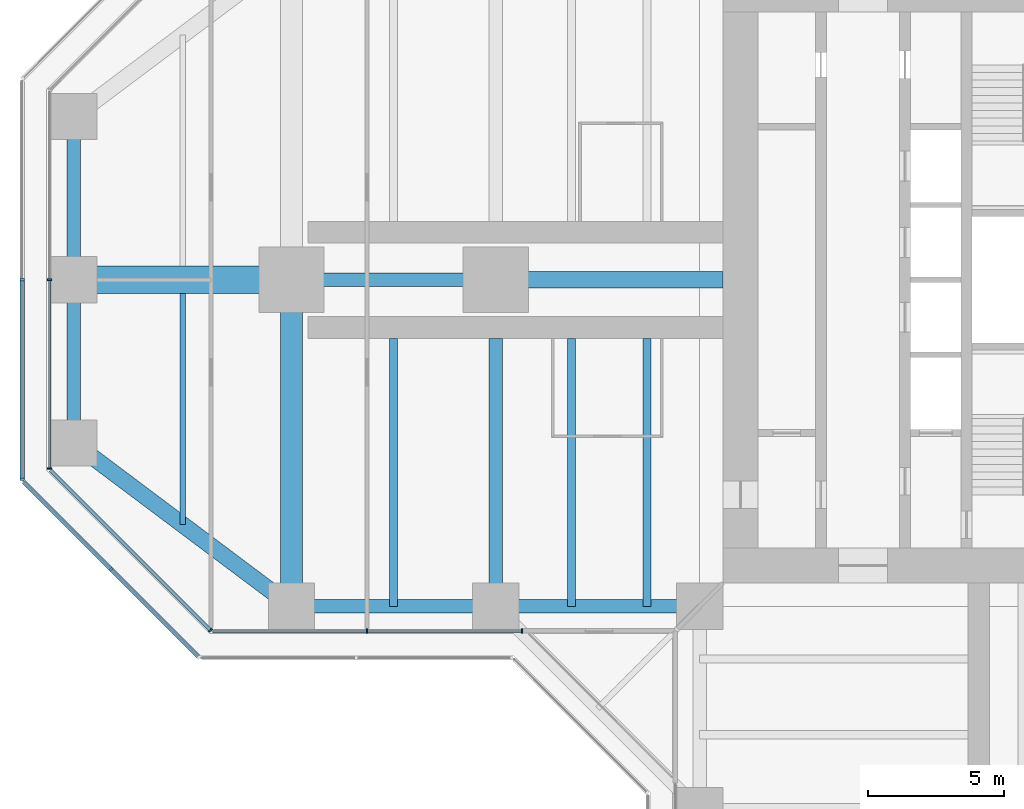
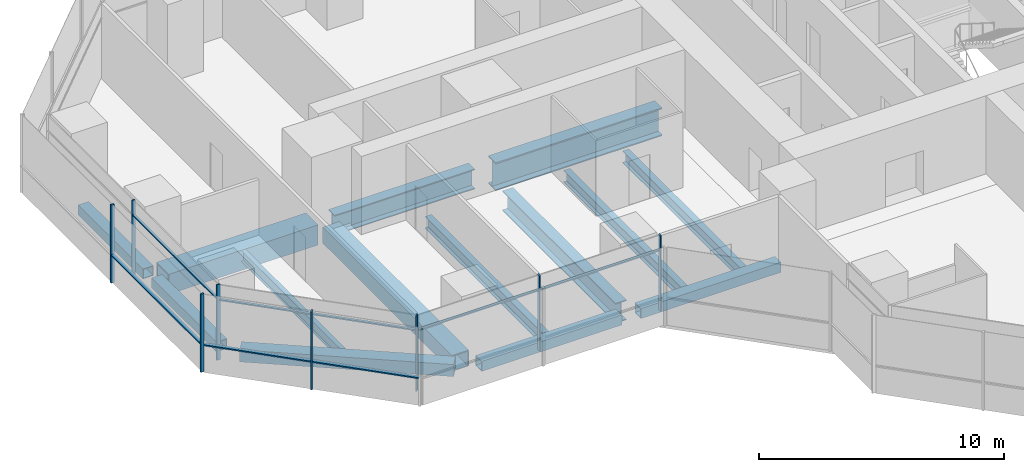
# One storey, part 3 of 20: 15 members, 14 beams, 5 elements without a shape of their own.
"""IFC4 building model written with IfcOpenShell, lengths in metres."""

import ifcopenshell
import ifcopenshell.guid

model = None  # the IFC model being written
_history = None  # IfcOwnerHistory: only IFC2X3 demands one
_inside = {}  # id of a spatial element -> (the spatial element, [elements in it])
_under = {}  # id of a project, library or spatial element -> (it, [spatial elements below it])
_declared = {}  # id of a project -> (the project, [libraries it declares])
_typed = {}  # id of a type object -> (the type object, [elements of that type])
_made_of = {}  # id of a material, layer set ... -> (it, [elements and type objects made of it])


def new_model(schema):
    """Start an empty IFC model of exactly this schema.

    Asked for "IFC4X3", IfcOpenShell would pick the latest addendum, in which some entities
    have other attributes; the version numbers below select the first issue.
    IFC2X3 requires an IfcOwnerHistory on every rooted entity: one is made here for all.
    """
    global model, _history
    if schema == "IFC4X3":
        model = ifcopenshell.file(schema_version=(4, 3, 0, 0))
    else:
        model = ifcopenshell.file(schema=schema)
    _inside.clear()
    _under.clear()
    _declared.clear()
    _typed.clear()
    _made_of.clear()
    _history = None
    if model.schema == "IFC2X3":
        org = make("IfcOrganization", Name="unknown")
        user = make(
            "IfcPersonAndOrganization",
            ThePerson=make("IfcPerson", FamilyName="unknown"),
            TheOrganization=org,
        )
        app = make(
            "IfcApplication",
            ApplicationDeveloper=org,
            Version="unknown",
            ApplicationFullName="unknown",
            ApplicationIdentifier="unknown",
        )
        _history = make(
            "IfcOwnerHistory",
            OwningUser=user,
            OwningApplication=app,
            ChangeAction="ADDED",
            CreationDate=0,
        )
    return model


def make(cls, **values):
    """One entity of the class cls with the attributes given. An attribute that is None is left unset."""
    return model.create_entity(
        cls, **{name: value for name, value in values.items() if value is not None}
    )


def rooted(cls, **values):
    """An entity with a GlobalId (a new one), such as an element, a storey or a relation."""
    return make(cls, GlobalId=ifcopenshell.guid.new(), OwnerHistory=_history, **values)


def si_unit(unit_type, name, prefix=None):
    """IfcSIUnit, for example si_unit("LENGTHUNIT", "METRE", prefix="MILLI")."""
    return make("IfcSIUnit", UnitType=unit_type, Prefix=prefix, Name=name)


def assignment(units):
    """IfcUnitAssignment: the units of a project."""
    return None if units is None else make("IfcUnitAssignment", Units=units)


def point(xyz):
    """IfcCartesianPoint."""
    return None if xyz is None else make("IfcCartesianPoint", Coordinates=xyz)


def direction(xyz):
    """IfcDirection."""
    return None if xyz is None else make("IfcDirection", DirectionRatios=xyz)


def frame(location, z_axis=None, x_axis=None):
    """IfcAxis2Placement3D, a coordinate frame: its origin and axes. An axis left out is left unset."""
    return make(
        "IfcAxis2Placement3D",
        Location=point(location),
        Axis=direction(z_axis),
        RefDirection=direction(x_axis),
    )


def frame_2d(location, x_axis=None):
    """IfcAxis2Placement2D, a coordinate frame in the plane: its origin and x axis."""
    return make(
        "IfcAxis2Placement2D", Location=point(location), RefDirection=direction(x_axis)
    )


def origin():
    """The frame at (0, 0, 0) with its axes left unset."""
    return frame((0.0, 0.0, 0.0))


def origin_2d():
    """The frame at (0, 0) in the plane with its x axis left unset."""
    return frame_2d((0.0, 0.0))


def place(relative_to, where):
    """IfcLocalPlacement: puts the frame where relative to a parent placement (None: the world)."""
    return make(
        "IfcLocalPlacement", PlacementRelTo=relative_to, RelativePlacement=where
    )


def context(
    kind, dimensions, precision=None, world=None, true_north=None, identifier=None
):
    """IfcGeometricRepresentationContext, for example the 3D "Model" context."""
    return make(
        "IfcGeometricRepresentationContext",
        ContextIdentifier=identifier,
        ContextType=kind,
        CoordinateSpaceDimension=dimensions,
        Precision=precision,
        WorldCoordinateSystem=world,
        TrueNorth=true_north,
    )


def subcontext(parent, identifier, kind, view, scale=None):
    """IfcGeometricRepresentationSubContext, for example "Body" below "Model"."""
    return make(
        "IfcGeometricRepresentationSubContext",
        ContextIdentifier=identifier,
        ContextType=kind,
        ParentContext=parent,
        TargetScale=scale,
        TargetView=view,
    )


def project(units=None, contexts=None):
    """IfcProject with its units and contexts."""
    return rooted(
        "IfcProject",
        Name="project",
        RepresentationContexts=contexts,
        UnitsInContext=assignment(units),
    )


def spatial(cls, under=None, at=None, **own):
    """A site, building, storey or space (cls), placed at a placement, below another one or the project."""
    s = rooted(cls, ObjectPlacement=at, **own)
    if under is not None:
        _under.setdefault(under.id(), (under, []))[1].append(s)
    return s


def profile(cls, at=None, kind="AREA", **sizes):
    """A parametric profile (cls). Its sizes go by their IFC names, for example OverallWidth=200.0."""
    return make(cls, ProfileType=kind, Position=at, **sizes)


def rectangle(**sizes):
    """IfcRectangleProfileDef."""
    return profile("IfcRectangleProfileDef", **sizes)


def hollow_rectangle(**sizes):
    """IfcRectangleHollowProfileDef."""
    return profile("IfcRectangleHollowProfileDef", **sizes)


def i_section(**sizes):
    """IfcIShapeProfileDef."""
    return profile("IfcIShapeProfileDef", **sizes)


def extrude(swept, where, along, depth):
    """IfcExtrudedAreaSolid: the profile swept, set in the frame where, extruded along a direction by depth."""
    return make(
        "IfcExtrudedAreaSolid",
        SweptArea=swept,
        Position=where,
        ExtrudedDirection=direction(along),
        Depth=depth,
    )


def shape(context_of_items, identifier, shape_type, items):
    """IfcShapeRepresentation: the items that make up one representation, for example the "Body"."""
    return make(
        "IfcShapeRepresentation",
        ContextOfItems=context_of_items,
        RepresentationIdentifier=identifier,
        RepresentationType=shape_type,
        Items=items,
    )


def material(Name=None, Category=None):
    """IfcMaterial."""
    return make("IfcMaterial", Name=Name, Category=Category)


def material_profile(
    of_material, cross_section, Name=None, Category=None, Priority=None
):
    """IfcMaterialProfile: a cross section and its material."""
    return make(
        "IfcMaterialProfile",
        Name=Name,
        Material=of_material,
        Profile=cross_section,
        Priority=Priority,
        Category=Category,
    )


def profile_set(profiles, Name=None, composite=None):
    """IfcMaterialProfileSet."""
    return make(
        "IfcMaterialProfileSet",
        Name=Name,
        MaterialProfiles=profiles,
        CompositeProfile=composite,
    )


def made_of(thing, what):
    """Note that an element or type object is made of a material, layer set ...; save() writes the relation."""
    if what is not None:
        _made_of.setdefault(what.id(), (what, []))[1].append(thing)
    return thing


def type_object(cls, material=None, **own):
    """A type object (cls), such as IfcWallType, which elements share."""
    return made_of(rooted(cls, **own), material)


def element(
    cls,
    number,
    at=None,
    inside=None,
    cuts=None,
    type_object=None,
    material=None,
    context=None,
    identifier="Body",
    shape_type=None,
    held_by="IfcProductDefinitionShape",
    body=None,
    shapes=None,
    **own,
):
    """One element of the class cls, such as IfcWall. Its Tag is "e" and its number.

    at: its placement. inside: the storey or other place that contains it. cuts: it is an
    opening in that element (IfcRelVoidsElement). A single representation is given by context,
    identifier, shape_type and body (its items); several are given by shapes. held_by: the class
    of the entity that holds the representations. save() writes the other relations.
    """
    e = rooted(cls, Tag="e%d" % number, ObjectPlacement=at, **own)
    if body is not None:
        shapes = [shape(context, identifier, shape_type, body)]
    if shapes is not None:
        e.Representation = make(held_by, Representations=shapes)
    if inside is not None:
        _inside.setdefault(inside.id(), (inside, []))[1].append(e)
    if cuts is not None:
        rooted(
            "IfcRelVoidsElement", RelatingBuildingElement=cuts, RelatedOpeningElement=e
        )
    if type_object is not None:
        _typed.setdefault(type_object.id(), (type_object, []))[1].append(e)
    return made_of(e, material)


def aggregate(whole, parts):
    """IfcRelAggregates: a whole, such as a stair, and the parts it consists of."""
    return rooted("IfcRelAggregates", RelatingObject=whole, RelatedObjects=parts)


def save(model, path):
    """Write the relations noted so far, then the file.

    IfcRelAggregates (storeys below a building ...), IfcRelContainedInSpatialStructure (elements
    in a storey), IfcRelDefinesByType, IfcRelAssociatesMaterial and IfcRelDeclares: one each for
    every whole, place, type object, material and project.
    """
    for whole, parts in _under.values():
        aggregate(whole, parts)
    for where, things in _inside.values():
        rooted(
            "IfcRelContainedInSpatialStructure",
            RelatedElements=things,
            RelatingStructure=where,
        )
    for kind, things in _typed.values():
        rooted("IfcRelDefinesByType", RelatedObjects=things, RelatingType=kind)
    for what, things in _made_of.values():
        rooted("IfcRelAssociatesMaterial", RelatedObjects=things, RelatingMaterial=what)
    for by, libraries in _declared.values():
        rooted("IfcRelDeclares", RelatingContext=by, RelatedDefinitions=libraries)
    model.write(path)


model = new_model("IFC4")

# Units and contexts
model_context = context("Model", 3, precision=1e-05, world=origin(), true_north=direction((0.0, 1.0)))
body_context = subcontext(model_context, "Body", "Model", "MODEL_VIEW")
ifc_project = project(units=[si_unit("LENGTHUNIT", "METRE"), si_unit("AREAUNIT", "SQUARE_METRE"), si_unit("VOLUMEUNIT", "CUBIC_METRE"), si_unit("PLANEANGLEUNIT", "RADIAN"), si_unit("MASSUNIT", "GRAM", prefix="KILO")], contexts=[model_context])

# Site, building, storey
site_placement = place(None, origin())
site = spatial("IfcSite", under=ifc_project, at=site_placement, CompositionType="ELEMENT")
building_placement = place(site_placement, origin())
building = spatial("IfcBuilding", under=site, at=building_placement, Name="Mizan Broadcast Tower", CompositionType="ELEMENT")
storey_placement = place(building_placement, frame((0.0, 0.0, 151.5)))
storey = spatial("IfcBuildingStorey", under=building, at=storey_placement, Name="L34", CompositionType="ELEMENT", Elevation=151.5)

# Beams
ifc_material_1 = material(Name="Steel S355", Category="steel")
ifc_material_profile_1 = material_profile(ifc_material_1, hollow_rectangle(XDim=0.5, YDim=0.5, WallThickness=0.030029296875, at=origin_2d()), Name="BOX 500x500x30")
ifc_profile_set_1 = profile_set([ifc_material_profile_1], Name="Steel S355")
beam_type_1 = type_object("IfcBeamType", Name="EDGE BEAM BOX 500x500x30", PredefinedType="SPANDREL", material=ifc_profile_set_1)
beam_1_placement = place(storey_placement, frame((-35.0, 5.639892578125, -0.3798828125), z_axis=(0.0, -1.0, 0.0), x_axis=(1.0, 0.0, 0.0)))
element("IfcBeam", 1, at=beam_1_placement, inside=storey, type_object=beam_type_1, Name="Edge beam BOX 500x500x30 L34 west arm", PredefinedType="SPANDREL", context=body_context, shape_type="SweptSolid", body=[
    extrude(hollow_rectangle(XDim=0.5, YDim=0.5, WallThickness=0.030029296875, at=origin_2d()), origin(), (0.0, 0.0, 1.0), 5.27978515625),
])
for number, where, z_axis, x_axis, name in (
    (2, (-12.449951171875, -12.0, -0.3798828125), (-1.0, 0.0, 0.0), (0.0, -1.0, 0.0), "Edge beam BOX 500x500x30 L34 west arm"),
    (3, (-19.949951171875, -12.0, -0.3798828125), (-1.0, 0.0, 0.0), (0.0, -1.0, 0.0), "Edge beam BOX 500x500x30 L34 west arm"),
):
    element("IfcBeam", number, at=place(storey_placement, frame(where, z_axis=z_axis, x_axis=x_axis)), inside=storey, type_object=beam_type_1, Name=name, PredefinedType="SPANDREL", context=body_context, shape_type="SweptSolid", body=[
        extrude(hollow_rectangle(XDim=0.5, YDim=0.5, WallThickness=0.030029296875, at=origin_2d()), origin(), (0.0, 0.0, 1.0), 6.60009765625),
    ])
beam_2_placement = place(storey_placement, frame((-35.0, -5.639892578125, -0.3798828125), z_axis=(0.0, 1.0, 0.0), x_axis=(-1.0, 0.0, 0.0)))
element("IfcBeam", 4, at=beam_2_placement, inside=storey, type_object=beam_type_1, Name="Edge beam BOX 500x500x30 L34 west arm", PredefinedType="SPANDREL", context=body_context, shape_type="SweptSolid", body=[
    extrude(hollow_rectangle(XDim=0.5, YDim=0.5, WallThickness=0.030029296875, at=origin_2d()), origin(), (0.0, 0.0, 1.0), 5.27978515625),
])
ifc_material_2 = material(Name="Steel S355", Category="steel")
ifc_material_profile_2 = material_profile(ifc_material_2, hollow_rectangle(XDim=0.60009765625, YDim=0.60009765625, WallThickness=0.030029296875, at=origin_2d()), Name="BOX 600x600x30")
ifc_profile_set_2 = profile_set([ifc_material_profile_2], Name="Steel S355")
beam_type_2 = type_object("IfcBeamType", Name="EDGE BEAM BOX 600x600x30", PredefinedType="SPANDREL", material=ifc_profile_set_2)
beam_3_placement = place(storey_placement, frame((-27.47998046875, -11.639892578125, -0.429931640625), z_axis=(-0.800013316712, 0.599982243973, 0.0), x_axis=(-0.599982243973, -0.800013316712, 0.0)))
element("IfcBeam", 5, at=beam_3_placement, inside=storey, type_object=beam_type_2, Name="Edge beam BOX 600x600x30 L34 west arm", PredefinedType="SPANDREL", context=body_context, shape_type="SweptSolid", body=[
    extrude(hollow_rectangle(XDim=0.60009765625, YDim=0.60009765625, WallThickness=0.030029296875, at=origin_2d()), origin(), (0.0, 0.0, 1.0), 8.7998046875),
])
ifc_material_3 = material(Name="Steel S460", Category="steel")
ifc_material_profile_3 = material_profile(ifc_material_3, hollow_rectangle(XDim=1.0, YDim=1.0, WallThickness=0.06005859375, at=origin_2d()), Name="BOX 1000x1000x60")
ifc_profile_set_3 = profile_set([ifc_material_profile_3], Name="Steel S460")
beam_type_3 = type_object("IfcBeamType", Name="GIRDER BOX 1000x1000x60", PredefinedType="BEAM", material=ifc_profile_set_3)
beam_4_placement = place(storey_placement, frame((-27.47998046875, 0.0, -0.6298828125), z_axis=(-1.0, 0.0, 0.0), x_axis=(0.0, -1.0, 0.0)))
element("IfcBeam", 6, at=beam_4_placement, inside=storey, type_object=beam_type_3, Name="Girder BOX 1000x1000x60 L34 west arm", PredefinedType="BEAM", context=body_context, shape_type="SweptSolid", body=[
    extrude(hollow_rectangle(XDim=1.0, YDim=1.0, WallThickness=0.06005859375, at=origin_2d()), origin(), (0.0, 0.0, 1.0), 7.0400390625),
])
ifc_material_4 = material(Name="Steel S460", Category="steel")
ifc_material_profile_4 = material_profile(ifc_material_4, hollow_rectangle(XDim=0.800048828125, YDim=0.800048828125, WallThickness=0.050048828125, at=origin_2d()), Name="BOX 800x800x50")
ifc_profile_set_4 = profile_set([ifc_material_profile_4], Name="Steel S460")
beam_type_4 = type_object("IfcBeamType", Name="GIRDER BOX 800x800x50", PredefinedType="BEAM", material=ifc_profile_set_4)
beam_5_placement = place(storey_placement, frame((-27.0, -11.280029296875, -0.530029296875), z_axis=(0.0, 1.0, 0.0), x_axis=(-1.0, 0.0, 0.0)))
element("IfcBeam", 7, at=beam_5_placement, inside=storey, type_object=beam_type_4, Name="Girder BOX 800x800x50 L34 west arm", PredefinedType="BEAM", context=body_context, shape_type="SweptSolid", body=[
    extrude(hollow_rectangle(XDim=0.800048828125, YDim=0.800048828125, WallThickness=0.050048828125, at=origin_2d()), origin(), (0.0, 0.0, 1.0), 10.56005859375),
])
ifc_material_5 = material(Name="Steel S460", Category="steel")
ifc_material_profile_5 = material_profile(ifc_material_5, i_section(OverallWidth=0.5, OverallDepth=1.0, WebThickness=0.02490234375, FlangeThickness=0.050048828125, at=origin_2d()), Name="WPG 1000x500")
ifc_profile_set_5 = profile_set([ifc_material_profile_5], Name="Steel S460")
beam_type_5 = type_object("IfcBeamType", Name="GIRDER WPG 1000x500", PredefinedType="BEAM", material=ifc_profile_set_5)
beam_6_placement = place(storey_placement, frame((-19.949951171875, 0.0, -0.6298828125), z_axis=(-1.0, 0.0, 0.0), x_axis=(0.0, -1.0, 0.0)))
element("IfcBeam", 8, at=beam_6_placement, inside=storey, type_object=beam_type_5, Name="Girder WPG 1000x500 L34 west arm", PredefinedType="BEAM", context=body_context, shape_type="SweptSolid", body=[
    extrude(i_section(OverallWidth=0.5, OverallDepth=1.0, WebThickness=0.02490234375, FlangeThickness=0.050048828125, at=origin_2d()), origin(), (0.0, 0.0, 1.0), 6.60009765625),
])
beam_7_placement = place(storey_placement, frame((-19.5, -11.408935546875, -0.6298828125), z_axis=(0.0, 1.0, 0.0), x_axis=(-1.0, 0.0, 0.0)))
element("IfcBeam", 9, at=beam_7_placement, inside=storey, type_object=beam_type_5, Name="Girder WPG 1000x500 L34 west arm", PredefinedType="BEAM", context=body_context, shape_type="SweptSolid", body=[
    extrude(i_section(OverallWidth=0.5, OverallDepth=1.0, WebThickness=0.02490234375, FlangeThickness=0.050048828125, at=origin_2d()), origin(), (0.0, 0.0, 1.0), 9.259033203125),
])
ifc_material_6 = material(Name="Steel S460", Category="steel")
ifc_material_profile_6 = material_profile(ifc_material_6, i_section(OverallWidth=0.60009765625, OverallDepth=1.39990234375, WebThickness=0.02490234375, FlangeThickness=0.06005859375, at=origin_2d()), Name="WPG 1400x600")
ifc_profile_set_6 = profile_set([ifc_material_profile_6], Name="Steel S460")
beam_type_6 = type_object("IfcBeamType", Name="GIRDER WPG 1400x600", PredefinedType="BEAM", material=ifc_profile_set_6)
beam_8_placement = place(storey_placement, frame((-11.14990234375, 0.0, -0.830078125), z_axis=(-1.0, 0.0, 0.0), x_axis=(0.0, -1.0, 0.0)))
element("IfcBeam", 10, at=beam_8_placement, inside=storey, type_object=beam_type_6, Name="Girder WPG 1400x600 L34 west arm", PredefinedType="BEAM", context=body_context, shape_type="SweptSolid", body=[
    extrude(i_section(OverallWidth=0.60009765625, OverallDepth=1.39990234375, WebThickness=0.02490234375, FlangeThickness=0.06005859375, at=origin_2d()), origin(), (0.0, 0.0, 1.0), 7.84912109375),
])

# Curtain wall, members
ifc_material_7 = material(Name="Aluminium framed glazing", Category="aluminium")
curtain_wall_type_1 = type_object("IfcCurtainWallType", Name="INNER SKIN MID ZONE", PredefinedType="USERDEFINED", material=ifc_material_7)
curtain_wall_1_placement = place(storey_placement, origin())
curtain_wall_1 = element("IfcCurtainWall", 11, at=curtain_wall_1_placement, inside=storey, type_object=curtain_wall_type_1, Name="Inner skin mid zone L34 W end", ObjectType="INNER SKIN MID ZONE", PredefinedType="USERDEFINED")
ifc_material_8 = material(Name="Aluminium, pale anodised", Category="aluminium")
ifc_material_profile_7 = material_profile(ifc_material_8, rectangle(XDim=0.159912109375, YDim=0.06005859375, at=origin_2d()), Name="MULLION 160x60")
ifc_profile_set_7 = profile_set([ifc_material_profile_7], Name="Aluminium, pale anodised")
member_type_1 = type_object("IfcMemberType", Name="INNER SKIN MULLION 60x160", PredefinedType="MULLION", material=ifc_profile_set_7)
member_1_placement = place(storey_placement, frame((-35.89990234375, 0.0, 0.0), z_axis=(0.0, 0.0, 1.0), x_axis=(1.0, 0.0, 0.0)))
member_1 = element("IfcMember", 12, at=member_1_placement, type_object=member_type_1, Name="Inner skin mid zone L34 W end mullion 2", PredefinedType="MULLION", context=body_context, shape_type="SweptSolid", body=[
    extrude(rectangle(XDim=0.159912109375, YDim=0.06005859375, at=origin_2d()), origin(), (0.0, 0.0, 1.0), 3.77001953125),
])
member_2_placement = place(storey_placement, frame((-35.89990234375, -6.928466796875, 0.0), z_axis=(0.0, 0.0, 1.0), x_axis=(1.0, 0.0, 0.0)))
member_2 = element("IfcMember", 13, at=member_2_placement, type_object=member_type_1, Name="Inner skin mid zone L34 W end mullion 3", PredefinedType="MULLION", context=body_context, shape_type="SweptSolid", body=[
    extrude(rectangle(XDim=0.159912109375, YDim=0.06005859375, at=origin_2d()), origin(), (0.0, 0.0, 1.0), 3.77001953125),
])

# Curtain wall, member
curtain_wall_2_placement = place(storey_placement, origin())
curtain_wall_2 = element("IfcCurtainWall", 14, at=curtain_wall_2_placement, inside=storey, type_object=curtain_wall_type_1, Name="Inner skin mid zone L34 W chamfer", ObjectType="INNER SKIN MID ZONE", PredefinedType="USERDEFINED")
member_3_placement = place(storey_placement, frame((-29.979736328125, -12.87890625, 0.0), z_axis=(0.0, 0.0, 1.0), x_axis=(0.707106781187, 0.707106781187, 0.0)))
member_3 = element("IfcMember", 15, at=member_3_placement, type_object=member_type_1, Name="Inner skin mid zone L34 W chamfer mullion 2", PredefinedType="MULLION", context=body_context, shape_type="SweptSolid", body=[
    extrude(rectangle(XDim=0.159912109375, YDim=0.06005859375, at=origin_2d()), origin(), (0.0, 0.0, 1.0), 3.77001953125),
])

# Curtain wall, members
curtain_wall_3_placement = place(storey_placement, origin())
curtain_wall_3 = element("IfcCurtainWall", 16, at=curtain_wall_3_placement, inside=storey, type_object=curtain_wall_type_1, Name="Inner skin mid zone L34 W side", ObjectType="INNER SKIN MID ZONE", PredefinedType="USERDEFINED")
member_4_placement = place(storey_placement, frame((-24.229248046875, -12.89990234375, 0.0), z_axis=(0.0, 0.0, 1.0), x_axis=(0.0, 1.0, 0.0)))
member_4 = element("IfcMember", 17, at=member_4_placement, type_object=member_type_1, Name="Inner skin mid zone L34 W side mullion 2", PredefinedType="MULLION", context=body_context, shape_type="SweptSolid", body=[
    extrude(rectangle(XDim=0.159912109375, YDim=0.06005859375, at=origin_2d()), origin(), (0.0, 0.0, 1.0), 3.77001953125),
])
member_5_placement = place(storey_placement, frame((-18.530029296875, -12.89990234375, 0.0), z_axis=(0.0, 0.0, 1.0), x_axis=(0.0, 1.0, 0.0)))
member_5 = element("IfcMember", 18, at=member_5_placement, type_object=member_type_1, Name="Inner skin mid zone L34 W side mullion 3", PredefinedType="MULLION", context=body_context, shape_type="SweptSolid", body=[
    extrude(rectangle(XDim=0.159912109375, YDim=0.06005859375, at=origin_2d()), origin(), (0.0, 0.0, 1.0), 3.77001953125),
])

# Member
ifc_material_9 = material(Name="Aluminium, pale anodised", Category="aluminium")
ifc_material_profile_8 = material_profile(ifc_material_9, rectangle(XDim=0.1201171875, YDim=0.06005859375, at=origin_2d()), Name="TRANSOM 120x60")
ifc_profile_set_8 = profile_set([ifc_material_profile_8], Name="Aluminium, pale anodised")
member_type_2 = type_object("IfcMemberType", Name="INNER SKIN TRANSOM 60x120", PredefinedType="USERDEFINED", material=ifc_profile_set_8)
member_6_placement = place(storey_placement, frame((-35.89990234375, -0.030029296875, 3.030029296875), z_axis=(0.0, -1.0, 0.0), x_axis=(1.0, 0.0, 0.0)))
member_6 = element("IfcMember", 19, at=member_6_placement, type_object=member_type_2, Name="Inner skin mid zone L34 W end transom 2.1", ObjectType="TRANSOM", PredefinedType="USERDEFINED", context=body_context, shape_type="SweptSolid", body=[
    extrude(rectangle(XDim=0.1201171875, YDim=0.06005859375, at=origin_2d()), origin(), (0.0, 0.0, 1.0), 6.86865234375),
])

aggregate(curtain_wall_1, [member_1, member_2, member_6])

member_7_placement = place(storey_placement, frame((-35.857666015625, -7.0009765625, 3.030029296875), z_axis=(0.707106781187, -0.707106781187, 0.0), x_axis=(0.707106781187, 0.707106781187, 0.0)))
member_7 = element("IfcMember", 20, at=member_7_placement, type_object=member_type_2, Name="Inner skin mid zone L34 W chamfer transom 1.1", ObjectType="TRANSOM", PredefinedType="USERDEFINED", context=body_context, shape_type="SweptSolid", body=[
    extrude(rectangle(XDim=0.1201171875, YDim=0.06005859375, at=origin_2d()), origin(), (0.0, 0.0, 1.0), 8.28271484375),
])

aggregate(curtain_wall_2, [member_3, member_7])

member_8_placement = place(storey_placement, frame((-29.898681640625, -12.89990234375, 3.030029296875), z_axis=(1.0, 0.0, 0.0), x_axis=(0.0, 1.0, 0.0)))
member_8 = element("IfcMember", 21, at=member_8_placement, type_object=member_type_2, Name="Inner skin mid zone L34 W side transom 1.1", ObjectType="TRANSOM", PredefinedType="USERDEFINED", context=body_context, shape_type="SweptSolid", body=[
    extrude(rectangle(XDim=0.1201171875, YDim=0.06005859375, at=origin_2d()), origin(), (0.0, 0.0, 1.0), 5.639404296875),
])

member_9_placement = place(storey_placement, frame((-24.19921875, -12.89990234375, 3.030029296875), z_axis=(1.0, 0.0, 0.0), x_axis=(0.0, 1.0, 0.0)))
member_9 = element("IfcMember", 22, at=member_9_placement, type_object=member_type_2, Name="Inner skin mid zone L34 W side transom 2.1", ObjectType="TRANSOM", PredefinedType="USERDEFINED", context=body_context, shape_type="SweptSolid", body=[
    extrude(rectangle(XDim=0.1201171875, YDim=0.06005859375, at=origin_2d()), origin(), (0.0, 0.0, 1.0), 5.63916015625),
])

aggregate(curtain_wall_3, [member_4, member_5, member_8, member_9])

# Curtain wall, members
ifc_material_10 = material(Name="Aluminium framed glazing", Category="aluminium")
curtain_wall_type_2 = type_object("IfcCurtainWallType", Name="OUTER SKIN", PredefinedType="USERDEFINED", material=ifc_material_10)
curtain_wall_4_placement = place(storey_placement, origin())
curtain_wall_4 = element("IfcCurtainWall", 23, at=curtain_wall_4_placement, inside=storey, type_object=curtain_wall_type_2, Name="Outer skin L34 W end", ObjectType="OUTER SKIN", PredefinedType="USERDEFINED")
ifc_material_11 = material(Name="Aluminium, pale anodised", Category="aluminium")
ifc_material_profile_9 = material_profile(ifc_material_11, rectangle(XDim=0.159912109375, YDim=0.080078125, at=origin_2d()), Name="MULLION 160x80")
ifc_profile_set_9 = profile_set([ifc_material_profile_9], Name="Aluminium, pale anodised")
member_type_3 = type_object("IfcMemberType", Name="OUTER SKIN MULLION 80x160", PredefinedType="MULLION", material=ifc_profile_set_9)
member_10_placement = place(storey_placement, frame((-36.89990234375, 0.0, 0.0), z_axis=(0.0, 0.0, 1.0), x_axis=(1.0, 0.0, 0.0)))
member_10 = element("IfcMember", 24, at=member_10_placement, type_object=member_type_3, Name="Outer skin L34 W end mullion 2", PredefinedType="MULLION", context=body_context, shape_type="SweptSolid", body=[
    extrude(rectangle(XDim=0.159912109375, YDim=0.080078125, at=origin_2d()), origin(), (0.0, 0.0, 1.0), 3.89990234375),
])
member_11_placement = place(storey_placement, frame((-36.89990234375, -7.332763671875, 0.0), z_axis=(0.0, 0.0, 1.0), x_axis=(1.0, 0.0, 0.0)))
member_11 = element("IfcMember", 25, at=member_11_placement, type_object=member_type_3, Name="Outer skin L34 W end mullion 3", PredefinedType="MULLION", context=body_context, shape_type="SweptSolid", body=[
    extrude(rectangle(XDim=0.159912109375, YDim=0.080078125, at=origin_2d()), origin(), (0.0, 0.0, 1.0), 3.89990234375),
])

# Curtain wall, member
curtain_wall_5_placement = place(storey_placement, origin())
curtain_wall_5 = element("IfcCurtainWall", 26, at=curtain_wall_5_placement, inside=storey, type_object=curtain_wall_type_2, Name="Outer skin L34 W chamfer", ObjectType="OUTER SKIN", PredefinedType="USERDEFINED")
member_12_placement = place(storey_placement, frame((-33.636474609375, -10.636474609375, 0.0), z_axis=(0.0, 0.0, 1.0), x_axis=(0.707106781187, 0.707106781187, 0.0)))
member_12 = element("IfcMember", 27, at=member_12_placement, type_object=member_type_3, Name="Outer skin L34 W chamfer mullion 2", PredefinedType="MULLION", context=body_context, shape_type="SweptSolid", body=[
    extrude(rectangle(XDim=0.159912109375, YDim=0.080078125, at=origin_2d()), origin(), (0.0, 0.0, 1.0), 3.89990234375),
])

# Member
ifc_material_12 = material(Name="Aluminium, pale anodised", Category="aluminium")
ifc_material_profile_10 = material_profile(ifc_material_12, rectangle(XDim=0.159912109375, YDim=0.06005859375, at=origin_2d()), Name="TRANSOM 160x60")
ifc_profile_set_10 = profile_set([ifc_material_profile_10], Name="Aluminium, pale anodised")
member_type_4 = type_object("IfcMemberType", Name="OUTER SKIN TRANSOM 60x160", PredefinedType="USERDEFINED", material=ifc_profile_set_10)
member_13_placement = place(storey_placement, frame((-36.89990234375, -0.0400390625, 1.39990234375), z_axis=(0.0, -1.0, 0.0), x_axis=(1.0, 0.0, 0.0)))
member_13 = element("IfcMember", 28, at=member_13_placement, type_object=member_type_4, Name="Outer skin L34 W end transom 2.1", ObjectType="TRANSOM", PredefinedType="USERDEFINED", context=body_context, shape_type="SweptSolid", body=[
    extrude(rectangle(XDim=0.159912109375, YDim=0.06005859375, at=origin_2d()), origin(), (0.0, 0.0, 1.0), 7.252685546875),
])

aggregate(curtain_wall_4, [member_10, member_11, member_13])

member_14_placement = place(storey_placement, frame((-36.843505859375, -7.429443359375, 1.39990234375), z_axis=(0.707106781187, -0.707106781187, 0.0), x_axis=(0.707106781187, 0.707106781187, 0.0)))
member_14 = element("IfcMember", 29, at=member_14_placement, type_object=member_type_4, Name="Outer skin L34 W chamfer transom 1.1", ObjectType="TRANSOM", PredefinedType="USERDEFINED", context=body_context, shape_type="SweptSolid", body=[
    extrude(rectangle(XDim=0.159912109375, YDim=0.06005859375, at=origin_2d()), origin(), (0.0, 0.0, 1.0), 4.495361328125),
])

member_15_placement = place(storey_placement, frame((-33.608154296875, -10.664794921875, 1.39990234375), z_axis=(0.707106781187, -0.707106781187, 0.0), x_axis=(0.707106781187, 0.707106781187, 0.0)))
member_15 = element("IfcMember", 30, at=member_15_placement, type_object=member_type_4, Name="Outer skin L34 W chamfer transom 2.1", ObjectType="TRANSOM", PredefinedType="USERDEFINED", context=body_context, shape_type="SweptSolid", body=[
    extrude(rectangle(XDim=0.159912109375, YDim=0.06005859375, at=origin_2d()), origin(), (0.0, 0.0, 1.0), 4.495361328125),
])

aggregate(curtain_wall_5, [member_12, member_14, member_15])

# Beams
ifc_material_13 = material(Name="Steel S355", Category="steel")
ifc_material_profile_11 = material_profile(ifc_material_13, i_section(OverallWidth=0.300048828125, OverallDepth=0.590087890625, WebThickness=0.012939453125, FlangeThickness=0.02490234375, FilletRadius=0.027099609375, at=origin_2d()), Name="HEA 600")
ifc_profile_set_11 = profile_set([ifc_material_profile_11], Name="Steel S355")
beam_type_7 = type_object("IfcBeamType", Name="SECONDARY BEAM HEA 600", PredefinedType="JOIST", material=ifc_profile_set_11)
for number, where, z_axis, x_axis, name in (
    (31, (-13.933349609375, -12.0, -0.425048828125), (0.0, 1.0, 0.0), (-1.0, 0.0, 0.0), "Secondary beam HEA 600 L34 west arm"),
    (32, (-16.716552734375, -12.0, -0.425048828125), (0.0, 1.0, 0.0), (-1.0, 0.0, 0.0), "Secondary beam HEA 600 L34 west arm"),
    (33, (-23.25, -12.0, -0.425048828125), (0.0, 1.0, 0.0), (-1.0, 0.0, 0.0), "Secondary beam HEA 600 L34 west arm"),
):
    element("IfcBeam", number, at=place(storey_placement, frame(where, z_axis=z_axis, x_axis=x_axis)), inside=storey, type_object=beam_type_7, Name=name, PredefinedType="JOIST", context=body_context, shape_type="SweptSolid", body=[
        extrude(i_section(OverallWidth=0.300048828125, OverallDepth=0.590087890625, WebThickness=0.012939453125, FlangeThickness=0.02490234375, FilletRadius=0.027099609375, at=origin_2d()), origin(), (0.0, 0.0, 1.0), 9.85009765625),
    ])
ifc_material_14 = material(Name="Steel S355", Category="steel")
ifc_material_profile_12 = material_profile(ifc_material_14, i_section(OverallWidth=0.2099609375, OverallDepth=0.550048828125, WebThickness=0.010986328125, FlangeThickness=0.01708984375, FilletRadius=0.02392578125, at=origin_2d()), Name="IPE 550")
ifc_profile_set_12 = profile_set([ifc_material_profile_12], Name="Steel S355")
beam_type_8 = type_object("IfcBeamType", Name="SECONDARY BEAM IPE 550", PredefinedType="JOIST", material=ifc_profile_set_12)
beam_9_placement = place(storey_placement, frame((-31.0, -9.0, -0.405029296875), z_axis=(0.0, 1.0, 0.0), x_axis=(-1.0, 0.0, 0.0)))
element("IfcBeam", 34, at=beam_9_placement, inside=storey, type_object=beam_type_8, Name="Secondary beam IPE 550 L34 west arm", PredefinedType="JOIST", context=body_context, shape_type="SweptSolid", body=[
    extrude(i_section(OverallWidth=0.2099609375, OverallDepth=0.550048828125, WebThickness=0.010986328125, FlangeThickness=0.01708984375, FilletRadius=0.02392578125, at=origin_2d()), origin(), (0.0, 0.0, 1.0), 8.5),
])

save(model, "model.ifc")
